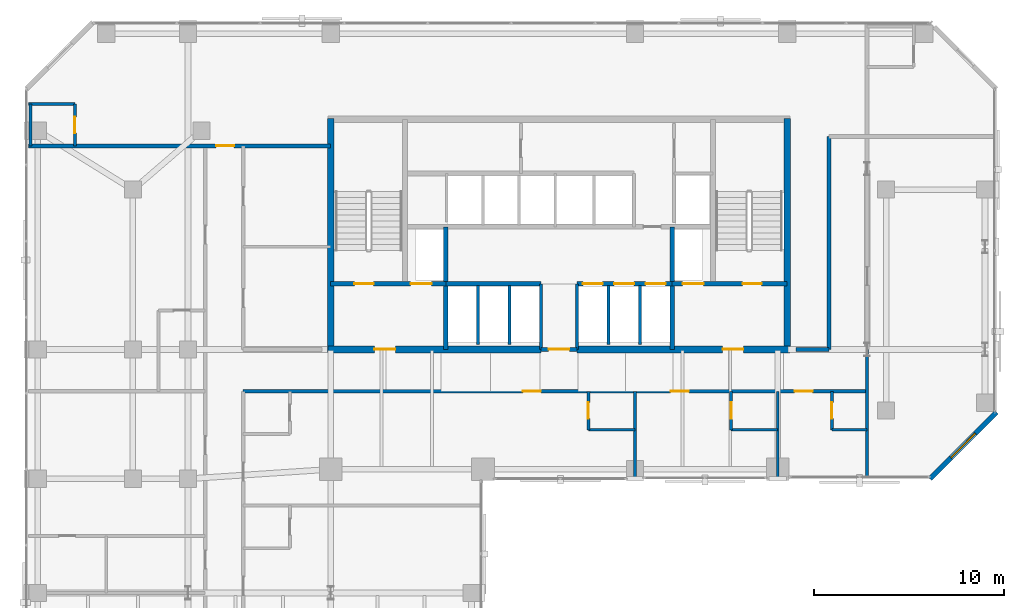
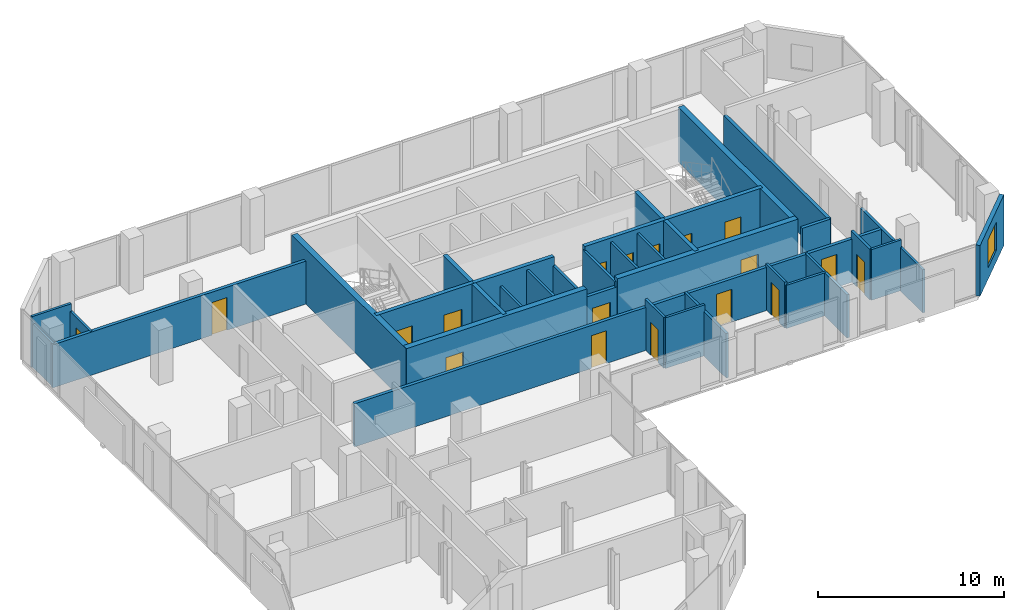
# One storey, part 29 of 35: 34 walls, 18 doors, 1 window, 19 openings.
"""IFC4 building model written with IfcOpenShell, lengths in metres."""

from ifc_helpers import new_model, si_unit, direction, frame, frame_2d, origin, place, context, subcontext, project, spatial, rectangle, extrude, material, layer, layer_set, type_object, element, fill, save


model = new_model("IFC4")

# Units and contexts
model_context = context("Model", 3, precision=1e-05, world=origin(), true_north=direction((0.0, 1.0)))
body_context = subcontext(model_context, "Body", "Model", "MODEL_VIEW")
ifc_project = project(units=[si_unit("LENGTHUNIT", "METRE"), si_unit("AREAUNIT", "SQUARE_METRE"), si_unit("VOLUMEUNIT", "CUBIC_METRE"), si_unit("PLANEANGLEUNIT", "RADIAN"), si_unit("MASSUNIT", "GRAM", prefix="KILO")], contexts=[model_context])

# Site, building, storey
site_placement = place(None, origin())
site = spatial("IfcSite", under=ifc_project, at=site_placement, CompositionType="ELEMENT")
building_placement = place(site_placement, origin())
building = spatial("IfcBuilding", under=site, at=building_placement, Name="Catumbela Crestline Tower", CompositionType="ELEMENT")
storey_placement = place(building_placement, frame((0.0, 0.0, 90.0)))
storey = spatial("IfcBuildingStorey", under=building, at=storey_placement, Name="L22", CompositionType="ELEMENT", Elevation=90.0)

# Walls
ifc_material_1 = material(Name="Concrete C50/60", Category="concrete")
ifc_layer_1 = layer(ifc_material_1, 0.25, Name="Concrete C50/60")
ifc_layer_set_1 = layer_set([ifc_layer_1], Name="Concrete C50/60")
wall_type_1 = type_object("IfcWallType", Name="CW-250D", PredefinedType="SHEAR", material=ifc_layer_set_1)
for number, where, z_axis, x_axis, name in (
    (1, (22.05, 30.8, 0.0), (0.0, 0.0, 1.0), (0.0, 1.0, 0.0), "L22 Structural Core Shear Wall FFW"),
    (2, (33.95, 30.8, 0.0), (0.0, 0.0, 1.0), (0.0, 1.0, 0.0), "L22 Structural Core Shear Wall FFE"),
):
    element("IfcWall", number, at=place(storey_placement, frame(where, z_axis=z_axis, x_axis=x_axis)), inside=storey, type_object=wall_type_1, Name=name, PredefinedType="SHEAR", context=body_context, shape_type="SweptSolid", body=[
        extrude(rectangle(XDim=6.45, YDim=0.25, at=frame_2d((3.225, 0.0))), origin(), (0.0, 0.0, 1.0), 3.6),
    ])

# Wall, openings, doors
wall_1_placement = place(storey_placement, frame((16.0, 34.25, 0.0), z_axis=(0.0, 0.0, 1.0), x_axis=(1.0, 0.0, 0.0)))
wall_1 = element("IfcWall", 3, at=wall_1_placement, inside=storey, type_object=wall_type_1, Name="L22 Structural Core Shear Wall ST1S", PredefinedType="SHEAR", context=body_context, shape_type="SweptSolid", body=[
    extrude(rectangle(XDim=6.05, YDim=0.25, at=frame_2d((3.025, 0.0))), origin(), (0.0, 0.0, 1.0), 3.6),
])
opening_1_placement = place(wall_1_placement, frame((1.25, 0.0, 0.0)))
opening_1 = element("IfcOpeningElement", 4, at=opening_1_placement, cuts=wall_1, Name="Opening DF9-100", PredefinedType="OPENING", context=body_context, shape_type="SweptSolid", body=[
    extrude(rectangle(XDim=1.0, YDim=2.15, at=frame_2d((0.5, 1.075))), frame((0.0, 0.135, 0.0), z_axis=(0.0, -1.0, 0.0), x_axis=(1.0, 0.0, 0.0)), (0.0, 0.0, 1.0), 0.27),
])
opening_2_placement = place(wall_1_placement, frame((4.2, 0.0, 0.0)))
opening_2 = element("IfcOpeningElement", 5, at=opening_2_placement, cuts=wall_1, Name="Opening LD-110", PredefinedType="OPENING", context=body_context, shape_type="SweptSolid", body=[
    extrude(rectangle(XDim=1.1, YDim=2.15, at=frame_2d((0.55, 1.075))), frame((0.0, 0.135, 0.0), z_axis=(0.0, -1.0, 0.0), x_axis=(1.0, 0.0, 0.0)), (0.0, 0.0, 1.0), 0.27),
])
ifc_material_2 = material(Name="Stainless steel EN 1.4401", Category="steel")
door_type_1 = type_object("IfcDoorType", Name="DF9-100", OperationType="NOTDEFINED", PredefinedType="DOOR", material=ifc_material_2)
door_1_placement = place(opening_1_placement, origin())
door_1 = element("IfcDoor", 6, at=door_1_placement, inside=storey, type_object=door_type_1, Name="L22 Interior Door DR-L22-ST01", OperationType="SINGLE_SWING_LEFT", OverallHeight=2.15, OverallWidth=1.0, PredefinedType="DOOR", context=body_context, shape_type="SweptSolid", body=[
    extrude(rectangle(XDim=1.0, YDim=2.15, at=frame_2d((0.5, 1.075))), frame((0.0, 0.025, 0.0), z_axis=(0.0, -1.0, 0.0), x_axis=(1.0, 0.0, 0.0)), (0.0, 0.0, 1.0), 0.05),
])
fill(opening_1, door_1)
door_type_2 = type_object("IfcDoorType", Name="LD-110", OperationType="NOTDEFINED", PredefinedType="DOOR", material=ifc_material_2)
door_2_placement = place(opening_2_placement, origin())
door_2 = element("IfcDoor", 7, at=door_2_placement, inside=storey, type_object=door_type_2, Name="L22 Lift Landing Sliding Door FL-01", OperationType="DOUBLE_DOOR_SLIDING", OverallHeight=2.15, OverallWidth=1.1, PredefinedType="DOOR", context=body_context, shape_type="SweptSolid", body=[
    extrude(rectangle(XDim=1.1, YDim=2.15, at=frame_2d((0.55, 1.075))), frame((0.0, 0.025, 0.0), z_axis=(0.0, -1.0, 0.0), x_axis=(1.0, 0.0, 0.0)), (0.0, 0.0, 1.0), 0.05),
])
fill(opening_2, door_2)

wall_2_placement = place(storey_placement, frame((33.95, 34.25, 0.0), z_axis=(0.0, 0.0, 1.0), x_axis=(1.0, 0.0, 0.0)))
wall_2 = element("IfcWall", 8, at=wall_2_placement, inside=storey, type_object=wall_type_1, Name="L22 Structural Core Shear Wall ST2S", PredefinedType="SHEAR", context=body_context, shape_type="SweptSolid", body=[
    extrude(rectangle(XDim=6.05, YDim=0.25, at=frame_2d((3.025, 0.0))), origin(), (0.0, 0.0, 1.0), 3.6),
])
opening_3_placement = place(wall_2_placement, frame((3.7, 0.0, 0.0)))
opening_3 = element("IfcOpeningElement", 9, at=opening_3_placement, cuts=wall_2, Name="Opening DF9-100", PredefinedType="OPENING", context=body_context, shape_type="SweptSolid", body=[
    extrude(rectangle(XDim=1.0, YDim=2.15, at=frame_2d((0.5, 1.075))), frame((0.0, 0.135, 0.0), z_axis=(0.0, -1.0, 0.0), x_axis=(1.0, 0.0, 0.0)), (0.0, 0.0, 1.0), 0.27),
])
opening_4_placement = place(wall_2_placement, frame((0.55, 0.0, 0.0)))
opening_4 = element("IfcOpeningElement", 10, at=opening_4_placement, cuts=wall_2, Name="Opening LD-110", PredefinedType="OPENING", context=body_context, shape_type="SweptSolid", body=[
    extrude(rectangle(XDim=1.1, YDim=2.15, at=frame_2d((0.55, 1.075))), frame((0.0, 0.135, 0.0), z_axis=(0.0, -1.0, 0.0), x_axis=(1.0, 0.0, 0.0)), (0.0, 0.0, 1.0), 0.27),
])
door_3_placement = place(opening_3_placement, origin())
door_3 = element("IfcDoor", 11, at=door_3_placement, inside=storey, type_object=door_type_1, Name="L22 Interior Door DR-L22-ST02", OperationType="SINGLE_SWING_RIGHT", OverallHeight=2.15, OverallWidth=1.0, PredefinedType="DOOR", context=body_context, shape_type="SweptSolid", body=[
    extrude(rectangle(XDim=1.0, YDim=2.15, at=frame_2d((0.5, 1.075))), frame((0.0, 0.025, 0.0), z_axis=(0.0, -1.0, 0.0), x_axis=(1.0, 0.0, 0.0)), (0.0, 0.0, 1.0), 0.05),
])
fill(opening_3, door_3)
door_4_placement = place(opening_4_placement, origin())
door_4 = element("IfcDoor", 12, at=door_4_placement, inside=storey, type_object=door_type_2, Name="L22 Lift Landing Sliding Door FL-02", OperationType="DOUBLE_DOOR_SLIDING", OverallHeight=2.15, OverallWidth=1.1, PredefinedType="DOOR", context=body_context, shape_type="SweptSolid", body=[
    extrude(rectangle(XDim=1.1, YDim=2.15, at=frame_2d((0.55, 1.075))), frame((0.0, 0.025, 0.0), z_axis=(0.0, -1.0, 0.0), x_axis=(1.0, 0.0, 0.0)), (0.0, 0.0, 1.0), 0.05),
])
fill(opening_4, door_4)

# Wall
wall_3_placement = place(storey_placement, frame((22.05, 34.25, 0.0), z_axis=(0.0, 0.0, 1.0), x_axis=(1.0, 0.0, 0.0)))
element("IfcWall", 13, at=wall_3_placement, inside=storey, type_object=wall_type_1, Name="L22 Structural Core Shear Wall LIFTS-W", PredefinedType="SHEAR", context=body_context, shape_type="SweptSolid", body=[
    extrude(rectangle(XDim=5.0, YDim=0.25, at=frame_2d((2.5, 0.0))), origin(), (0.0, 0.0, 1.0), 3.6),
])

# Wall, openings, doors
wall_4_placement = place(storey_placement, frame((28.95, 34.25, 0.0), z_axis=(0.0, 0.0, 1.0), x_axis=(1.0, 0.0, 0.0)))
wall_4 = element("IfcWall", 14, at=wall_4_placement, inside=storey, type_object=wall_type_1, Name="L22 Structural Core Shear Wall LIFTS-E", PredefinedType="SHEAR", context=body_context, shape_type="SweptSolid", body=[
    extrude(rectangle(XDim=5.0, YDim=0.25, at=frame_2d((2.5, 0.0))), origin(), (0.0, 0.0, 1.0), 3.6),
])
opening_5_placement = place(wall_4_placement, frame((0.3, 0.0, 0.0)))
opening_5 = element("IfcOpeningElement", 15, at=opening_5_placement, cuts=wall_4, Name="Opening LD-105", PredefinedType="OPENING", context=body_context, shape_type="SweptSolid", body=[
    extrude(rectangle(XDim=1.05, YDim=2.15, at=frame_2d((0.525, 1.075))), frame((0.0, 0.135, 0.0), z_axis=(0.0, -1.0, 0.0), x_axis=(1.0, 0.0, 0.0)), (0.0, 0.0, 1.0), 0.27),
])
opening_6_placement = place(wall_4_placement, frame((1.95, 0.0, 0.0)))
opening_6 = element("IfcOpeningElement", 16, at=opening_6_placement, cuts=wall_4, Name="Opening LD-105", PredefinedType="OPENING", context=body_context, shape_type="SweptSolid", body=[
    extrude(rectangle(XDim=1.05, YDim=2.15, at=frame_2d((0.525, 1.075))), frame((0.0, 0.135, 0.0), z_axis=(0.0, -1.0, 0.0), x_axis=(1.0, 0.0, 0.0)), (0.0, 0.0, 1.0), 0.27),
])
opening_7_placement = place(wall_4_placement, frame((3.6, 0.0, 0.0)))
opening_7 = element("IfcOpeningElement", 17, at=opening_7_placement, cuts=wall_4, Name="Opening LD-105", PredefinedType="OPENING", context=body_context, shape_type="SweptSolid", body=[
    extrude(rectangle(XDim=1.05, YDim=2.15, at=frame_2d((0.525, 1.075))), frame((0.0, 0.135, 0.0), z_axis=(0.0, -1.0, 0.0), x_axis=(1.0, 0.0, 0.0)), (0.0, 0.0, 1.0), 0.27),
])
door_type_3 = type_object("IfcDoorType", Name="LD-105", OperationType="NOTDEFINED", PredefinedType="DOOR", material=ifc_material_2)
door_5_placement = place(opening_5_placement, origin())
door_5 = element("IfcDoor", 18, at=door_5_placement, inside=storey, type_object=door_type_3, Name="L22 Lift Landing Sliding Door PL-M1", OperationType="DOUBLE_DOOR_SLIDING", OverallHeight=2.15, OverallWidth=1.05, PredefinedType="DOOR", context=body_context, shape_type="SweptSolid", body=[
    extrude(rectangle(XDim=1.05, YDim=2.15, at=frame_2d((0.525, 1.075))), frame((0.0, 0.025, 0.0), z_axis=(0.0, -1.0, 0.0), x_axis=(1.0, 0.0, 0.0)), (0.0, 0.0, 1.0), 0.05),
])
fill(opening_5, door_5)
door_6_placement = place(opening_6_placement, origin())
door_6 = element("IfcDoor", 19, at=door_6_placement, inside=storey, type_object=door_type_3, Name="L22 Lift Landing Sliding Door PL-M2", OperationType="DOUBLE_DOOR_SLIDING", OverallHeight=2.15, OverallWidth=1.05, PredefinedType="DOOR", context=body_context, shape_type="SweptSolid", body=[
    extrude(rectangle(XDim=1.05, YDim=2.15, at=frame_2d((0.525, 1.075))), frame((0.0, 0.025, 0.0), z_axis=(0.0, -1.0, 0.0), x_axis=(1.0, 0.0, 0.0)), (0.0, 0.0, 1.0), 0.05),
])
fill(opening_6, door_6)
door_7_placement = place(opening_7_placement, origin())
door_7 = element("IfcDoor", 20, at=door_7_placement, inside=storey, type_object=door_type_3, Name="L22 Lift Landing Sliding Door PL-M3", OperationType="DOUBLE_DOOR_SLIDING", OverallHeight=2.15, OverallWidth=1.05, PredefinedType="DOOR", context=body_context, shape_type="SweptSolid", body=[
    extrude(rectangle(XDim=1.05, YDim=2.15, at=frame_2d((0.525, 1.075))), frame((0.0, 0.025, 0.0), z_axis=(0.0, -1.0, 0.0), x_axis=(1.0, 0.0, 0.0)), (0.0, 0.0, 1.0), 0.05),
])
fill(opening_7, door_7)

# Walls
ifc_layer_2 = layer(ifc_material_1, 0.35, Name="Concrete C50/60")
ifc_layer_set_2 = layer_set([ifc_layer_2], Name="Concrete C50/60")
wall_type_2 = type_object("IfcWallType", Name="CW-350B", PredefinedType="SHEAR", material=ifc_layer_set_2)
for number, where, z_axis, x_axis, name in (
    (21, (16.0, 30.65, 0.0), (0.0, 0.0, 1.0), (0.0, 1.0, 0.0), "L22 Structural Core Shear Wall W"),
    (22, (40.0, 30.65, 0.0), (0.0, 0.0, 1.0), (0.0, 1.0, 0.0), "L22 Structural Core Shear Wall E"),
):
    element("IfcWall", number, at=place(storey_placement, frame(where, z_axis=z_axis, x_axis=x_axis)), inside=storey, type_object=wall_type_2, Name=name, PredefinedType="SHEAR", context=body_context, shape_type="SweptSolid", body=[
        extrude(rectangle(XDim=12.3, YDim=0.35, at=frame_2d((6.15, 0.0))), origin(), (0.0, 0.0, 1.0), 3.6),
    ])

# Wall, opening, door
wall_5_placement = place(storey_placement, frame((15.85, 30.8, 0.0), z_axis=(0.0, 0.0, 1.0), x_axis=(1.0, 0.0, 0.0)))
wall_5 = element("IfcWall", 23, at=wall_5_placement, inside=storey, type_object=wall_type_2, Name="L22 Structural Core Shear Wall SW", PredefinedType="SHEAR", context=body_context, shape_type="SweptSolid", body=[
    extrude(rectangle(XDim=11.2, YDim=0.35, at=frame_2d((5.6, 0.0))), origin(), (0.0, 0.0, 1.0), 3.6),
])
opening_8_placement = place(wall_5_placement, frame((2.45, 0.0, 0.0)))
opening_8 = element("IfcOpeningElement", 24, at=opening_8_placement, cuts=wall_5, Name="Opening DF9-110", PredefinedType="OPENING", context=body_context, shape_type="SweptSolid", body=[
    extrude(rectangle(XDim=1.1, YDim=2.15, at=frame_2d((0.55, 1.075))), frame((0.0, 0.185, 0.0), z_axis=(0.0, -1.0, 0.0), x_axis=(1.0, 0.0, 0.0)), (0.0, 0.0, 1.0), 0.37),
])
door_type_4 = type_object("IfcDoorType", Name="DF9-110", OperationType="NOTDEFINED", PredefinedType="DOOR", material=ifc_material_2)
door_8_placement = place(opening_8_placement, origin())
door_8 = element("IfcDoor", 25, at=door_8_placement, inside=storey, type_object=door_type_4, Name="L22 Interior Door DR-L22-FFW-S", OperationType="SINGLE_SWING_LEFT", OverallHeight=2.15, OverallWidth=1.1, PredefinedType="DOOR", context=body_context, shape_type="SweptSolid", body=[
    extrude(rectangle(XDim=1.1, YDim=2.15, at=frame_2d((0.55, 1.075))), frame((0.0, 0.025, 0.0), z_axis=(0.0, -1.0, 0.0), x_axis=(1.0, 0.0, 0.0)), (0.0, 0.0, 1.0), 0.05),
])
fill(opening_8, door_8)

wall_6_placement = place(storey_placement, frame((28.95, 30.8, 0.0), z_axis=(0.0, 0.0, 1.0), x_axis=(1.0, 0.0, 0.0)))
wall_6 = element("IfcWall", 26, at=wall_6_placement, inside=storey, type_object=wall_type_2, Name="L22 Structural Core Shear Wall SE", PredefinedType="SHEAR", context=body_context, shape_type="SweptSolid", body=[
    extrude(rectangle(XDim=11.2, YDim=0.35, at=frame_2d((5.6, 0.0))), origin(), (0.0, 0.0, 1.0), 3.6),
])
opening_9_placement = place(wall_6_placement, frame((7.65, 0.0, 0.0)))
opening_9 = element("IfcOpeningElement", 27, at=opening_9_placement, cuts=wall_6, Name="Opening DF9-110", PredefinedType="OPENING", context=body_context, shape_type="SweptSolid", body=[
    extrude(rectangle(XDim=1.1, YDim=2.15, at=frame_2d((0.55, 1.075))), frame((0.0, 0.185, 0.0), z_axis=(0.0, -1.0, 0.0), x_axis=(1.0, 0.0, 0.0)), (0.0, 0.0, 1.0), 0.37),
])
door_9_placement = place(opening_9_placement, origin())
door_9 = element("IfcDoor", 28, at=door_9_placement, inside=storey, type_object=door_type_4, Name="L22 Interior Door DR-L22-FFE-S", OperationType="SINGLE_SWING_RIGHT", OverallHeight=2.15, OverallWidth=1.1, PredefinedType="DOOR", context=body_context, shape_type="SweptSolid", body=[
    extrude(rectangle(XDim=1.1, YDim=2.15, at=frame_2d((0.55, 1.075))), frame((0.0, 0.025, 0.0), z_axis=(0.0, -1.0, 0.0), x_axis=(1.0, 0.0, 0.0)), (0.0, 0.0, 1.0), 0.05),
])
fill(opening_9, door_9)

ifc_material_3 = material(Name="Acoustic gypsum and mineral-wool partition")
ifc_layer_3 = layer(ifc_material_3, 0.2, Name="Acoustic gypsum and mineral-wool partition")
ifc_layer_set_3 = layer_set([ifc_layer_3], Name="Acoustic gypsum and mineral-wool partition")
wall_type_3 = type_object("IfcWallType", Name="WC-200", PredefinedType="PARTITIONING", material=ifc_layer_set_3)
wall_7_placement = place(storey_placement, frame((27.05, 30.8, 0.0), z_axis=(0.0, 0.0, 1.0), x_axis=(1.0, 0.0, 0.0)))
wall_7 = element("IfcWall", 29, at=wall_7_placement, inside=storey, type_object=wall_type_3, Name="L22 Interior Partition PW-L22-CLOBS", PredefinedType="PARTITIONING", context=body_context, shape_type="SweptSolid", body=[
    extrude(rectangle(XDim=1.9, YDim=0.2, at=frame_2d((0.95, 0.0))), origin(), (0.0, 0.0, 1.0), 3.02),
])
opening_10_placement = place(wall_7_placement, frame((0.4, 0.0, 0.0)))
opening_10 = element("IfcOpeningElement", 30, at=opening_10_placement, cuts=wall_7, Name="Opening DF9-110", PredefinedType="OPENING", context=body_context, shape_type="SweptSolid", body=[
    extrude(rectangle(XDim=1.1, YDim=2.15, at=frame_2d((0.55, 1.075))), frame((0.0, 0.11, 0.0), z_axis=(0.0, -1.0, 0.0), x_axis=(1.0, 0.0, 0.0)), (0.0, 0.0, 1.0), 0.22),
])
door_10_placement = place(opening_10_placement, origin())
door_10 = element("IfcDoor", 31, at=door_10_placement, inside=storey, type_object=door_type_4, Name="L22 Interior Door DR-L22-CLOBS", OperationType="SINGLE_SWING_LEFT", OverallHeight=2.15, OverallWidth=1.1, PredefinedType="DOOR", context=body_context, shape_type="SweptSolid", body=[
    extrude(rectangle(XDim=1.1, YDim=2.15, at=frame_2d((0.55, 1.075))), frame((0.0, 0.025, 0.0), z_axis=(0.0, -1.0, 0.0), x_axis=(1.0, 0.0, 0.0)), (0.0, 0.0, 1.0), 0.05),
])
fill(opening_10, door_10)

# Wall, openings, doors
wall_8_placement = place(storey_placement, frame((11.4, 28.6, 0.0), z_axis=(0.0, 0.0, 1.0), x_axis=(1.0, 0.0, 0.0)))
wall_8 = element("IfcWall", 32, at=wall_8_placement, inside=storey, type_object=wall_type_3, Name="L22 Interior Partition PW-L22-Z2CW-N2", PredefinedType="PARTITIONING", context=body_context, shape_type="SweptSolid", body=[
    extrude(rectangle(XDim=32.8, YDim=0.2, at=frame_2d((16.4, 0.0))), origin(), (0.0, 0.0, 1.0), 2.83),
])
opening_11_placement = place(wall_8_placement, frame((14.7, 0.0, 0.0)))
opening_11 = element("IfcOpeningElement", 33, at=opening_11_placement, cuts=wall_8, Name="Opening DF6-095", PredefinedType="OPENING", context=body_context, shape_type="SweptSolid", body=[
    extrude(rectangle(XDim=0.95, YDim=2.15, at=frame_2d((0.475, 1.075))), frame((0.0, 0.11, 0.0), z_axis=(0.0, -1.0, 0.0), x_axis=(1.0, 0.0, 0.0)), (0.0, 0.0, 1.0), 0.22),
])
opening_12_placement = place(wall_8_placement, frame((22.475, 0.0, 0.0)))
opening_12 = element("IfcOpeningElement", 34, at=opening_12_placement, cuts=wall_8, Name="Opening DF6-095", PredefinedType="OPENING", context=body_context, shape_type="SweptSolid", body=[
    extrude(rectangle(XDim=0.95, YDim=2.15, at=frame_2d((0.475, 1.075))), frame((0.0, 0.11, 0.0), z_axis=(0.0, -1.0, 0.0), x_axis=(1.0, 0.0, 0.0)), (0.0, 0.0, 1.0), 0.22),
])
opening_13_placement = place(wall_8_placement, frame((28.985, 0.0, 0.0)))
opening_13 = element("IfcOpeningElement", 35, at=opening_13_placement, cuts=wall_8, Name="Opening DF6-095", PredefinedType="OPENING", context=body_context, shape_type="SweptSolid", body=[
    extrude(rectangle(XDim=0.95, YDim=2.15, at=frame_2d((0.475, 1.075))), frame((0.0, 0.11, 0.0), z_axis=(0.0, -1.0, 0.0), x_axis=(1.0, 0.0, 0.0)), (0.0, 0.0, 1.0), 0.22),
])
ifc_material_4 = material(Name="Aluminium alloy AW-6060-T66", Category="aluminium")
door_type_5 = type_object("IfcDoorType", Name="DF6-095", OperationType="NOTDEFINED", PredefinedType="DOOR", material=ifc_material_4)
door_11_placement = place(opening_11_placement, origin())
door_11 = element("IfcDoor", 36, at=door_11_placement, inside=storey, type_object=door_type_5, Name="L22 Interior Door DR-L22-SS1-ENT", OperationType="SINGLE_SWING_RIGHT", OverallHeight=2.15, OverallWidth=0.95, PredefinedType="DOOR", context=body_context, shape_type="SweptSolid", body=[
    extrude(rectangle(XDim=0.95, YDim=2.15, at=frame_2d((0.475, 1.075))), frame((0.0, 0.025, 0.0), z_axis=(0.0, -1.0, 0.0), x_axis=(1.0, 0.0, 0.0)), (0.0, 0.0, 1.0), 0.05),
])
fill(opening_11, door_11)
door_12_placement = place(opening_12_placement, origin())
door_12 = element("IfcDoor", 37, at=door_12_placement, inside=storey, type_object=door_type_5, Name="L22 Interior Door DR-L22-SS2-ENT", OperationType="SINGLE_SWING_LEFT", OverallHeight=2.15, OverallWidth=0.95, PredefinedType="DOOR", context=body_context, shape_type="SweptSolid", body=[
    extrude(rectangle(XDim=0.95, YDim=2.15, at=frame_2d((0.475, 1.075))), frame((0.0, 0.025, 0.0), z_axis=(0.0, -1.0, 0.0), x_axis=(1.0, 0.0, 0.0)), (0.0, 0.0, 1.0), 0.05),
])
fill(opening_12, door_12)
door_13_placement = place(opening_13_placement, origin())
door_13 = element("IfcDoor", 38, at=door_13_placement, inside=storey, type_object=door_type_5, Name="L22 Interior Door DR-L22-SS3-ENT", OperationType="SINGLE_SWING_RIGHT", OverallHeight=2.15, OverallWidth=0.95, PredefinedType="DOOR", context=body_context, shape_type="SweptSolid", body=[
    extrude(rectangle(XDim=0.95, YDim=2.15, at=frame_2d((0.475, 1.075))), frame((0.0, 0.025, 0.0), z_axis=(0.0, -1.0, 0.0), x_axis=(1.0, 0.0, 0.0)), (0.0, 0.0, 1.0), 0.05),
])
fill(opening_13, door_13)

# Walls
wall_9_placement = place(storey_placement, frame((40.47, 30.8, 0.0), z_axis=(0.0, 0.0, 1.0), x_axis=(1.0, 0.0, 0.0)))
element("IfcWall", 39, at=wall_9_placement, inside=storey, type_object=wall_type_3, Name="L22 Interior Partition PW-L22-Z2CW-E1", PredefinedType="PARTITIONING", context=body_context, shape_type="SweptSolid", body=[
    extrude(rectangle(XDim=1.73, YDim=0.2, at=frame_2d((0.865, 0.0))), origin(), (0.0, 0.0, 1.0), 2.83),
])
wall_10_placement = place(storey_placement, frame((42.2, 30.8, 0.0), z_axis=(0.0, 0.0, 1.0), x_axis=(0.0, 1.0, 0.0)))
element("IfcWall", 40, at=wall_10_placement, inside=storey, type_object=wall_type_3, Name="L22 Interior Partition PW-L22-Z2CW-E2", PredefinedType="PARTITIONING", context=body_context, shape_type="SweptSolid", body=[
    extrude(rectangle(XDim=11.2, YDim=0.2, at=frame_2d((5.6, 0.0))), origin(), (0.0, 0.0, 1.0), 2.83),
])

# Wall, opening, door
wall_11_placement = place(storey_placement, frame((0.1, 41.5, 0.0), z_axis=(0.0, 0.0, 1.0), x_axis=(1.0, 0.0, 0.0)))
wall_11 = element("IfcWall", 41, at=wall_11_placement, inside=storey, type_object=wall_type_3, Name="L22 Interior Partition PW-L22-Z2NWT-ENT", PredefinedType="PARTITIONING", context=body_context, shape_type="SweptSolid", body=[
    extrude(rectangle(XDim=15.9, YDim=0.2, at=frame_2d((7.95, 0.0))), origin(), (0.0, 0.0, 1.0), 2.83),
])
opening_14_placement = place(wall_11_placement, frame((9.8771, 0.0, 0.0)))
opening_14 = element("IfcOpeningElement", 42, at=opening_14_placement, cuts=wall_11, Name="Opening DF6-095", PredefinedType="OPENING", context=body_context, shape_type="SweptSolid", body=[
    extrude(rectangle(XDim=0.95, YDim=2.15, at=frame_2d((0.475, 1.075))), frame((0.0, 0.11, 0.0), z_axis=(0.0, -1.0, 0.0), x_axis=(1.0, 0.0, 0.0)), (0.0, 0.0, 1.0), 0.22),
])
door_14_placement = place(opening_14_placement, origin())
door_14 = element("IfcDoor", 43, at=door_14_placement, inside=storey, type_object=door_type_5, Name="L22 Interior Door DR-L22-Z2NWT-ENT", OperationType="SINGLE_SWING_RIGHT", OverallHeight=2.15, OverallWidth=0.95, PredefinedType="DOOR", context=body_context, shape_type="SweptSolid", body=[
    extrude(rectangle(XDim=0.95, YDim=2.15, at=frame_2d((0.475, 1.075))), frame((0.0, 0.025, 0.0), z_axis=(0.0, -1.0, 0.0), x_axis=(1.0, 0.0, 0.0)), (0.0, 0.0, 1.0), 0.05),
])
fill(opening_14, door_14)

# Wall, opening, window
ifc_material_5 = material(Name="Angolan grey-ochre granite", Category="masonry")
ifc_layer_4 = layer(ifc_material_5, 0.25, Name="Angolan grey-ochre granite")
ifc_layer_set_4 = layer_set([ifc_layer_4], Name="Angolan grey-ochre granite")
wall_type_4 = type_object("IfcWallType", Name="WE-250", PredefinedType="STANDARD", material=ifc_layer_set_4)
wall_12_placement = place(storey_placement, frame((47.5, 24.0, 0.0), z_axis=(0.0, 0.0, 1.0), x_axis=(0.707106781187, 0.707106781187, 0.0)))
wall_12 = element("IfcWall", 44, at=wall_12_placement, inside=storey, type_object=wall_type_4, Name="L22 Granite Punched Window Wall 4-1", PredefinedType="STANDARD", context=body_context, shape_type="SweptSolid", body=[
    extrude(rectangle(XDim=4.9497, YDim=0.25, at=frame_2d((2.4748, 0.0))), origin(), (0.0, 0.0, 1.0), 3.33),
])
opening_15_placement = place(wall_12_placement, frame((1.5749, 0.0, 0.75)))
opening_15 = element("IfcOpeningElement", 45, at=opening_15_placement, cuts=wall_12, Name="Opening WN-01", PredefinedType="OPENING", context=body_context, shape_type="SweptSolid", body=[
    extrude(rectangle(XDim=1.8, YDim=1.85, at=frame_2d((0.9, 0.925))), frame((0.0, 0.135, 0.0), z_axis=(0.0, -1.0, 0.0), x_axis=(1.0, 0.0, 0.0)), (0.0, 0.0, 1.0), 0.27),
])
ifc_material_6 = material(Name="Low-E laminated solar-control double glazing", Category="glass")
window_type = type_object("IfcWindowType", Name="WF-1800", PartitioningType="SINGLE_PANEL", PredefinedType="WINDOW", material=ifc_material_6)
window_placement = place(opening_15_placement, origin())
window = element("IfcWindow", 46, at=window_placement, inside=storey, type_object=window_type, Name="L22 Facade Vision Window 131", OverallHeight=1.85, OverallWidth=1.8, PartitioningType="SINGLE_PANEL", PredefinedType="WINDOW", context=body_context, shape_type="SweptSolid", body=[
    extrude(rectangle(XDim=1.8, YDim=1.85, at=frame_2d((0.9, 0.925))), frame((0.0, 0.03, 0.0), z_axis=(0.0, -1.0, 0.0), x_axis=(1.0, 0.0, 0.0)), (0.0, 0.0, 1.0), 0.06),
])
fill(opening_15, window)

# Wall
ifc_layer_5 = layer(ifc_material_3, 0.15, Name="Acoustic gypsum and mineral-wool partition")
ifc_layer_set_5 = layer_set([ifc_layer_5], Name="Acoustic gypsum and mineral-wool partition")
wall_type_5 = type_object("IfcWallType", Name="WP-150", PredefinedType="PARTITIONING", material=ifc_layer_set_5)
wall_13_placement = place(storey_placement, frame((0.1, 43.7, 0.0), z_axis=(0.0, 0.0, 1.0), x_axis=(1.0, 0.0, 0.0)))
element("IfcWall", 47, at=wall_13_placement, inside=storey, type_object=wall_type_5, Name="L22 Interior Partition PW-L22-Z2NWT-BHW", PredefinedType="PARTITIONING", context=body_context, shape_type="SweptSolid", body=[
    extrude(rectangle(XDim=2.45, YDim=0.15, at=frame_2d((1.225, 0.0))), origin(), (0.0, 0.0, 1.0), 3.33),
])

# Wall, opening, door
wall_14_placement = place(storey_placement, frame((2.55, 41.5, 0.0), z_axis=(0.0, 0.0, 1.0), x_axis=(0.0, 1.0, 0.0)))
wall_14 = element("IfcWall", 48, at=wall_14_placement, inside=storey, type_object=wall_type_5, Name="L22 Interior Partition PW-L22-Z2NWT-BEW", PredefinedType="PARTITIONING", context=body_context, shape_type="SweptSolid", body=[
    extrude(rectangle(XDim=2.2, YDim=0.15, at=frame_2d((1.1, 0.0))), origin(), (0.0, 0.0, 1.0), 2.83),
])
opening_16_placement = place(wall_14_placement, frame((0.675, 0.0, 0.0)))
opening_16 = element("IfcOpeningElement", 49, at=opening_16_placement, cuts=wall_14, Name="Opening DI-085", PredefinedType="OPENING", context=body_context, shape_type="SweptSolid", body=[
    extrude(rectangle(XDim=0.85, YDim=2.15, at=frame_2d((0.425, 1.075))), frame((0.0, 0.085, 0.0), z_axis=(0.0, -1.0, 0.0), x_axis=(1.0, 0.0, 0.0)), (0.0, 0.0, 1.0), 0.17),
])
door_type_6 = type_object("IfcDoorType", Name="DI-085", OperationType="NOTDEFINED", PredefinedType="DOOR", material=ifc_material_4)
door_15_placement = place(opening_16_placement, origin())
door_15 = element("IfcDoor", 50, at=door_15_placement, inside=storey, type_object=door_type_6, Name="L22 Interior Door DR-L22-Z2NWT-BTH", OperationType="SINGLE_SWING_LEFT", OverallHeight=2.15, OverallWidth=0.85, PredefinedType="DOOR", context=body_context, shape_type="SweptSolid", body=[
    extrude(rectangle(XDim=0.85, YDim=2.15, at=frame_2d((0.425, 1.075))), frame((0.0, 0.025, 0.0), z_axis=(0.0, -1.0, 0.0), x_axis=(1.0, 0.0, 0.0)), (0.0, 0.0, 1.0), 0.05),
])
fill(opening_16, door_15)

# Walls
wall_15_placement = place(storey_placement, frame((0.22, 41.5, 0.0), z_axis=(0.0, 0.0, 1.0), x_axis=(0.0, 1.0, 0.0)))
element("IfcWall", 51, at=wall_15_placement, inside=storey, type_object=wall_type_5, Name="L22 Interior Partition PW-L22-Z2NWT-BCL-2", PredefinedType="PARTITIONING", context=body_context, shape_type="SweptSolid", body=[
    extrude(rectangle(XDim=2.2, YDim=0.15, at=frame_2d((1.1, 0.0))), origin(), (0.0, 0.0, 1.0), 2.83),
])
wall_16_placement = place(storey_placement, frame((29.55, 26.576, 0.0), z_axis=(0.0, 0.0, 1.0), x_axis=(1.0, 0.0, 0.0)))
element("IfcWall", 52, at=wall_16_placement, inside=storey, type_object=wall_type_5, Name="L22 Interior Partition PW-L22-SS1-BHW", PredefinedType="PARTITIONING", context=body_context, shape_type="SweptSolid", body=[
    extrude(rectangle(XDim=2.45, YDim=0.15, at=frame_2d((1.225, 0.0))), origin(), (0.0, 0.0, 1.0), 3.33),
])

# Wall, opening, door
wall_17_placement = place(storey_placement, frame((29.55, 26.576, 0.0), z_axis=(0.0, 0.0, 1.0), x_axis=(0.0, 1.0, 0.0)))
wall_17 = element("IfcWall", 53, at=wall_17_placement, inside=storey, type_object=wall_type_5, Name="L22 Interior Partition PW-L22-SS1-BWW", PredefinedType="PARTITIONING", context=body_context, shape_type="SweptSolid", body=[
    extrude(rectangle(XDim=2.024, YDim=0.15, at=frame_2d((1.012, 0.0))), origin(), (0.0, 0.0, 1.0), 3.33),
])
opening_17_placement = place(wall_17_placement, frame((0.587, 0.0, 0.0)))
opening_17 = element("IfcOpeningElement", 54, at=opening_17_placement, cuts=wall_17, Name="Opening DI-085", PredefinedType="OPENING", context=body_context, shape_type="SweptSolid", body=[
    extrude(rectangle(XDim=0.85, YDim=2.15, at=frame_2d((0.425, 1.075))), frame((0.0, 0.085, 0.0), z_axis=(0.0, -1.0, 0.0), x_axis=(1.0, 0.0, 0.0)), (0.0, 0.0, 1.0), 0.17),
])
door_16_placement = place(opening_17_placement, origin())
door_16 = element("IfcDoor", 55, at=door_16_placement, inside=storey, type_object=door_type_6, Name="L22 Interior Door DR-L22-SS1-BTH", OperationType="SINGLE_SWING_RIGHT", OverallHeight=2.15, OverallWidth=0.85, PredefinedType="DOOR", context=body_context, shape_type="SweptSolid", body=[
    extrude(rectangle(XDim=0.85, YDim=2.15, at=frame_2d((0.425, 1.075))), frame((0.0, 0.025, 0.0), z_axis=(0.0, -1.0, 0.0), x_axis=(1.0, 0.0, 0.0)), (0.0, 0.0, 1.0), 0.05),
])
fill(opening_17, door_16)

# Walls
wall_18_placement = place(storey_placement, frame((32.0, 28.6, 0.0), z_axis=(0.0, 0.0, 1.0), x_axis=(0.0, -1.0, 0.0)))
element("IfcWall", 56, at=wall_18_placement, inside=storey, type_object=wall_type_5, Name="L22 Interior Partition PW-L22-SS1-BCL-2", PredefinedType="PARTITIONING", context=body_context, shape_type="SweptSolid", body=[
    extrude(rectangle(XDim=4.5, YDim=0.15, at=frame_2d((2.25, 0.0))), origin(), (0.0, 0.0, 1.0), 2.92),
])
wall_19_placement = place(storey_placement, frame((37.05, 26.576, 0.0), z_axis=(0.0, 0.0, 1.0), x_axis=(1.0, 0.0, 0.0)))
element("IfcWall", 57, at=wall_19_placement, inside=storey, type_object=wall_type_5, Name="L22 Interior Partition PW-L22-SS2-BHW", PredefinedType="PARTITIONING", context=body_context, shape_type="SweptSolid", body=[
    extrude(rectangle(XDim=2.45, YDim=0.15, at=frame_2d((1.225, 0.0))), origin(), (0.0, 0.0, 1.0), 2.83),
])

# Wall, opening, door
wall_20_placement = place(storey_placement, frame((37.05, 26.576, 0.0), z_axis=(0.0, 0.0, 1.0), x_axis=(0.0, 1.0, 0.0)))
wall_20 = element("IfcWall", 58, at=wall_20_placement, inside=storey, type_object=wall_type_5, Name="L22 Interior Partition PW-L22-SS2-BWW", PredefinedType="PARTITIONING", context=body_context, shape_type="SweptSolid", body=[
    extrude(rectangle(XDim=2.024, YDim=0.15, at=frame_2d((1.012, 0.0))), origin(), (0.0, 0.0, 1.0), 3.02),
])
opening_18_placement = place(wall_20_placement, frame((0.587, 0.0, 0.0)))
opening_18 = element("IfcOpeningElement", 59, at=opening_18_placement, cuts=wall_20, Name="Opening DI-085", PredefinedType="OPENING", context=body_context, shape_type="SweptSolid", body=[
    extrude(rectangle(XDim=0.85, YDim=2.15, at=frame_2d((0.425, 1.075))), frame((0.0, 0.085, 0.0), z_axis=(0.0, -1.0, 0.0), x_axis=(1.0, 0.0, 0.0)), (0.0, 0.0, 1.0), 0.17),
])
door_17_placement = place(opening_18_placement, origin())
door_17 = element("IfcDoor", 60, at=door_17_placement, inside=storey, type_object=door_type_6, Name="L22 Interior Door DR-L22-SS2-BTH", OperationType="SINGLE_SWING_RIGHT", OverallHeight=2.15, OverallWidth=0.85, PredefinedType="DOOR", context=body_context, shape_type="SweptSolid", body=[
    extrude(rectangle(XDim=0.85, YDim=2.15, at=frame_2d((0.425, 1.075))), frame((0.0, 0.025, 0.0), z_axis=(0.0, -1.0, 0.0), x_axis=(1.0, 0.0, 0.0)), (0.0, 0.0, 1.0), 0.05),
])
fill(opening_18, door_17)

# Walls
wall_21_placement = place(storey_placement, frame((39.5, 28.6, 0.0), z_axis=(0.0, 0.0, 1.0), x_axis=(0.0, -1.0, 0.0)))
element("IfcWall", 61, at=wall_21_placement, inside=storey, type_object=wall_type_5, Name="L22 Interior Partition PW-L22-SS2-BCL-2", PredefinedType="PARTITIONING", context=body_context, shape_type="SweptSolid", body=[
    extrude(rectangle(XDim=4.5, YDim=0.15, at=frame_2d((2.25, 0.0))), origin(), (0.0, 0.0, 1.0), 2.83),
])
wall_22_placement = place(storey_placement, frame((42.35, 26.576, 0.0), z_axis=(0.0, 0.0, 1.0), x_axis=(1.0, 0.0, 0.0)))
element("IfcWall", 62, at=wall_22_placement, inside=storey, type_object=wall_type_5, Name="L22 Interior Partition PW-L22-SS3-BHW", PredefinedType="PARTITIONING", context=body_context, shape_type="SweptSolid", body=[
    extrude(rectangle(XDim=1.85, YDim=0.15, at=frame_2d((0.925, 0.0))), origin(), (0.0, 0.0, 1.0), 3.33),
])

# Wall, opening, door
wall_23_placement = place(storey_placement, frame((42.35, 26.576, 0.0), z_axis=(0.0, 0.0, 1.0), x_axis=(0.0, 1.0, 0.0)))
wall_23 = element("IfcWall", 63, at=wall_23_placement, inside=storey, type_object=wall_type_5, Name="L22 Interior Partition PW-L22-SS3-BWW", PredefinedType="PARTITIONING", context=body_context, shape_type="SweptSolid", body=[
    extrude(rectangle(XDim=2.024, YDim=0.15, at=frame_2d((1.012, 0.0))), origin(), (0.0, 0.0, 1.0), 3.33),
])
opening_19_placement = place(wall_23_placement, frame((0.587, 0.0, 0.0)))
opening_19 = element("IfcOpeningElement", 64, at=opening_19_placement, cuts=wall_23, Name="Opening DI-085", PredefinedType="OPENING", context=body_context, shape_type="SweptSolid", body=[
    extrude(rectangle(XDim=0.85, YDim=2.15, at=frame_2d((0.425, 1.075))), frame((0.0, 0.085, 0.0), z_axis=(0.0, -1.0, 0.0), x_axis=(1.0, 0.0, 0.0)), (0.0, 0.0, 1.0), 0.17),
])
door_18_placement = place(opening_19_placement, origin())
door_18 = element("IfcDoor", 65, at=door_18_placement, inside=storey, type_object=door_type_6, Name="L22 Interior Door DR-L22-SS3-BTH", OperationType="SINGLE_SWING_RIGHT", OverallHeight=2.15, OverallWidth=0.85, PredefinedType="DOOR", context=body_context, shape_type="SweptSolid", body=[
    extrude(rectangle(XDim=0.85, YDim=2.15, at=frame_2d((0.425, 1.075))), frame((0.0, 0.025, 0.0), z_axis=(0.0, -1.0, 0.0), x_axis=(1.0, 0.0, 0.0)), (0.0, 0.0, 1.0), 0.05),
])
fill(opening_19, door_18)

# Walls
wall_24_placement = place(storey_placement, frame((44.2, 30.8, 0.0), z_axis=(0.0, 0.0, 1.0), x_axis=(0.0, -1.0, 0.0)))
element("IfcWall", 66, at=wall_24_placement, inside=storey, type_object=wall_type_5, Name="L22 Interior Partition PW-L22-SS3-BCL-2", PredefinedType="PARTITIONING", context=body_context, shape_type="SweptSolid", body=[
    extrude(rectangle(XDim=6.7, YDim=0.15, at=frame_2d((3.35, 0.0))), origin(), (0.0, 0.0, 1.0), 2.83),
])
ifc_layer_6 = layer(ifc_material_3, 0.15, Name="Acoustic gypsum and mineral-wool partition")
ifc_layer_set_6 = layer_set([ifc_layer_6], Name="Acoustic gypsum and mineral-wool partition")
wall_type_6 = type_object("IfcWallType", Name="WS-150", PredefinedType="PLUMBINGWALL", material=ifc_layer_set_6)
wall_25_placement = place(storey_placement, frame((27.05, 30.8, 0.0), z_axis=(0.0, 0.0, 1.0), x_axis=(0.0, 1.0, 0.0)))
element("IfcWall", 67, at=wall_25_placement, inside=storey, type_object=wall_type_6, Name="L22 Interior Partition PW-L22-THRW", PredefinedType="PLUMBINGWALL", context=body_context, shape_type="SweptSolid", body=[
    extrude(rectangle(XDim=3.45, YDim=0.15, at=frame_2d((1.725, 0.0))), origin(), (0.0, 0.0, 1.0), 3.02),
])
wall_26_placement = place(storey_placement, frame((28.95, 30.8, 0.0), z_axis=(0.0, 0.0, 1.0), x_axis=(0.0, 1.0, 0.0)))
element("IfcWall", 68, at=wall_26_placement, inside=storey, type_object=wall_type_6, Name="L22 Interior Partition PW-L22-THRE", PredefinedType="PLUMBINGWALL", context=body_context, shape_type="SweptSolid", body=[
    extrude(rectangle(XDim=3.45, YDim=0.15, at=frame_2d((1.725, 0.0))), origin(), (0.0, 0.0, 1.0), 3.33),
])
wall_27_placement = place(storey_placement, frame((23.75, 31.05, 0.0), z_axis=(0.0, 0.0, 1.0), x_axis=(0.0, 1.0, 0.0)))
element("IfcWall", 69, at=wall_27_placement, inside=storey, type_object=wall_type_6, Name="L22 Interior Partition PW-L22-SHL1", PredefinedType="PLUMBINGWALL", context=body_context, shape_type="SweptSolid", body=[
    extrude(rectangle(XDim=3.1, YDim=0.15, at=frame_2d((1.55, 0.0))), origin(), (0.0, 0.0, 1.0), 2.83),
])
for number, where, z_axis, x_axis, name in (
    (70, (25.4, 31.05, 0.0), (0.0, 0.0, 1.0), (0.0, 1.0, 0.0), "L22 Interior Partition PW-L22-SHL2"),
    (71, (30.6, 31.05, 0.0), (0.0, 0.0, 1.0), (0.0, 1.0, 0.0), "L22 Interior Partition PW-L22-SHM1"),
    (72, (32.25, 31.05, 0.0), (0.0, 0.0, 1.0), (0.0, 1.0, 0.0), "L22 Interior Partition PW-L22-SHM2"),
):
    element("IfcWall", number, at=place(storey_placement, frame(where, z_axis=z_axis, x_axis=x_axis)), inside=storey, type_object=wall_type_6, Name=name, PredefinedType="PLUMBINGWALL", context=body_context, shape_type="SweptSolid", body=[
        extrude(rectangle(XDim=3.1, YDim=0.15, at=frame_2d((1.55, 0.0))), origin(), (0.0, 0.0, 1.0), 3.33),
    ])

save(model, "model.ifc")
